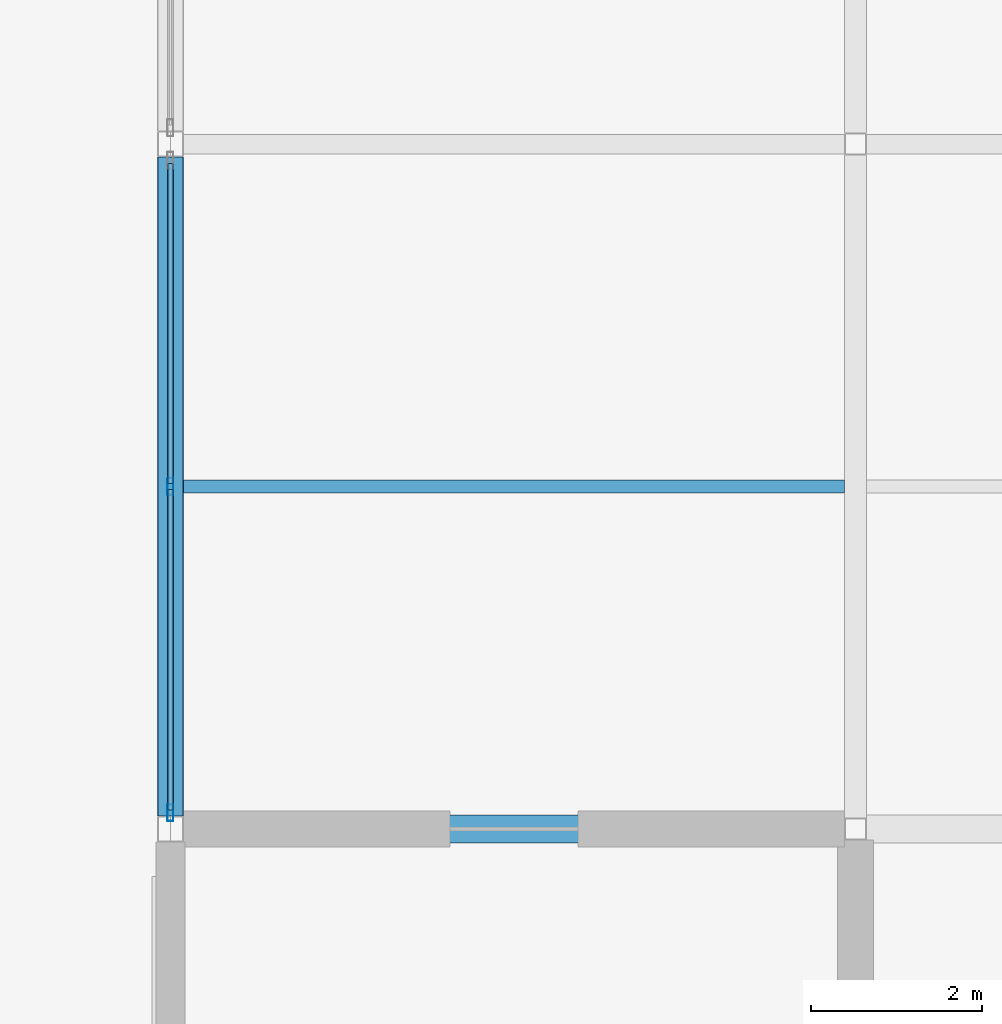
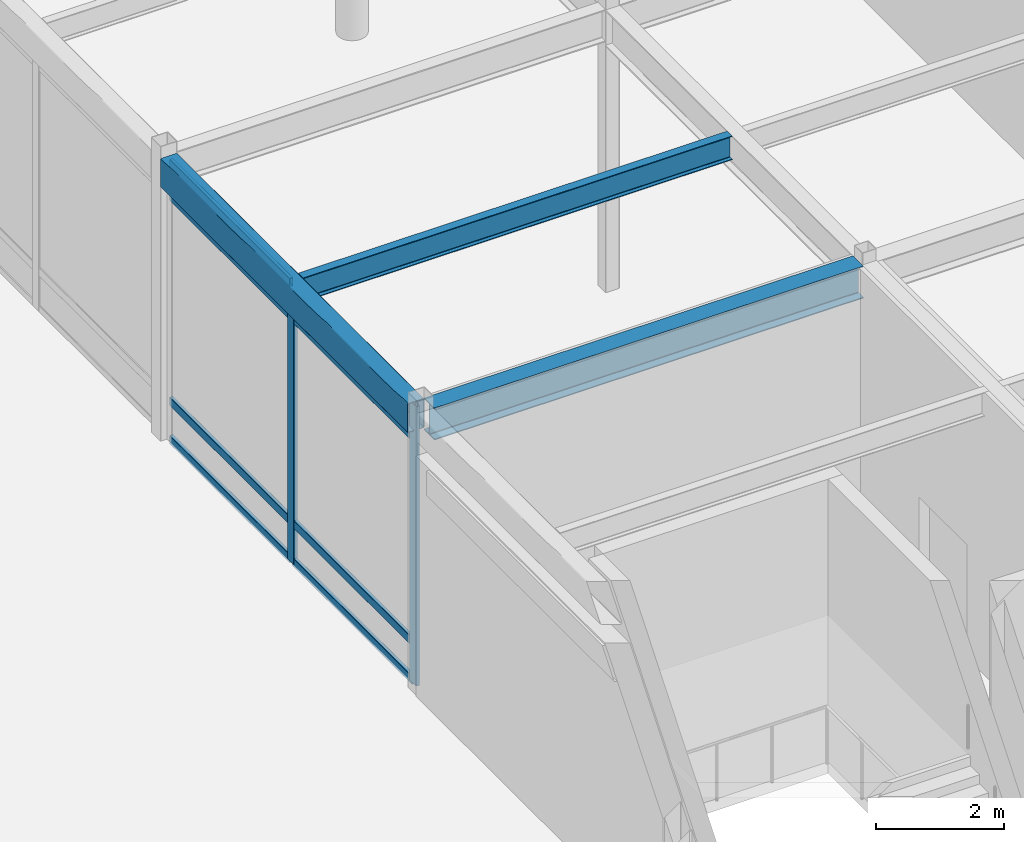
# One storey, part 35 of 128: 10 members, 3 beams, 1 element without a shape of its own.
"""IFC4 building model written with IfcOpenShell, lengths in metres."""

from ifc_helpers import new_model, si_unit, direction, frame, origin, origin_2d, place, context, subcontext, project, spatial, hollow_rectangle, i_section, extrude, material, material_profile, profile_set, type_object, element, aggregate, save


model = new_model("IFC4")

# Units and contexts
model_context = context("Model", 3, precision=1e-05, world=origin(), true_north=direction((0.0, 1.0)))
body_context = subcontext(model_context, "Body", "Model", "MODEL_VIEW")
ifc_project = project(units=[si_unit("LENGTHUNIT", "METRE"), si_unit("AREAUNIT", "SQUARE_METRE"), si_unit("VOLUMEUNIT", "CUBIC_METRE"), si_unit("PLANEANGLEUNIT", "RADIAN"), si_unit("MASSUNIT", "GRAM", prefix="KILO")], contexts=[model_context])

# Site, building, storey
site_placement = place(None, origin())
site = spatial("IfcSite", under=ifc_project, at=site_placement, CompositionType="ELEMENT")
building_placement = place(site_placement, origin())
building = spatial("IfcBuilding", under=site, at=building_placement, Name="Solmirada Galleria", CompositionType="ELEMENT")
storey_placement = place(building_placement, origin())
storey = spatial("IfcBuildingStorey", under=building, at=storey_placement, Name="L00", CompositionType="ELEMENT", Elevation=0.0)

# Beams
ifc_material_1 = material(Name="Steel S355 / ASTM A992 Grade 50", Category="steel")
ifc_material_profile_1 = material_profile(ifc_material_1, i_section(OverallWidth=0.323974609375, OverallDepth=0.611083984375, WebThickness=0.0126953125, FlangeThickness=0.01904296875, FilletRadius=0.014892578125, at=origin_2d()), Name="W24X104")
ifc_profile_set_1 = profile_set([ifc_material_profile_1], Name="Steel S355 / ASTM A992 Grade 50")
beam_type_1 = type_object("IfcBeamType", Name="BM-GIRD-W24A", PredefinedType="BEAM", material=ifc_profile_set_1)
beam_1_placement = place(storey_placement, frame((40.152587890625, 16.0, 5.074462890625), z_axis=(1.0, 0.0, 0.0), x_axis=(0.0, 1.0, 0.0)))
element("IfcBeam", 1, at=beam_1_placement, inside=storey, type_object=beam_type_1, Name="Primary beam L01 X(40..48, 16)", PredefinedType="BEAM", context=body_context, shape_type="SweptSolid", body=[
    extrude(i_section(OverallWidth=0.323974609375, OverallDepth=0.611083984375, WebThickness=0.0126953125, FlangeThickness=0.01904296875, FilletRadius=0.014892578125, at=origin_2d()), origin(), (0.0, 0.0, 1.0), 7.720458984375),
])
ifc_material_profile_2 = material_profile(ifc_material_1, i_section(OverallWidth=0.153076171875, OverallDepth=0.455078125, WebThickness=0.008056640625, FlangeThickness=0.01318359375, FilletRadius=0.011962890625, at=origin_2d()), Name="W18X40")
ifc_profile_set_2 = profile_set([ifc_material_profile_2], Name="Steel S355 / ASTM A992 Grade 50")
beam_type_2 = type_object("IfcBeamType", Name="BM-JST-W18A", PredefinedType="JOIST", material=ifc_profile_set_2)
beam_2_placement = place(storey_placement, frame((40.152587890625, 20.0, 5.152587890625), z_axis=(1.0, 0.0, 0.0), x_axis=(0.0, 1.0, 0.0)))
element("IfcBeam", 2, at=beam_2_placement, inside=storey, type_object=beam_type_2, Name="Composite floor joist L01 (40..48, 20.0)", PredefinedType="JOIST", context=body_context, shape_type="SweptSolid", body=[
    extrude(i_section(OverallWidth=0.153076171875, OverallDepth=0.455078125, WebThickness=0.008056640625, FlangeThickness=0.01318359375, FilletRadius=0.011962890625, at=origin_2d()), origin(), (0.0, 0.0, 1.0), 7.719482421875),
])
ifc_material_2 = material(Name="Steel S355 / ASTM A500 Grade C", Category="steel")
ifc_material_profile_3 = material_profile(ifc_material_2, hollow_rectangle(XDim=0.304931640625, YDim=0.55908203125, WallThickness=0.01171875, InnerFilletRadius=0.01171875, OuterFilletRadius=0.023681640625, at=origin_2d()), Name="HSS22X12X1/2")
ifc_profile_set_3 = profile_set([ifc_material_profile_3], Name="Steel S355 / ASTM A500 Grade C")
beam_type_3 = type_object("IfcBeamType", Name="BM-SPAND-W21", PredefinedType="SPANDREL", material=ifc_profile_set_3)
beam_3_placement = place(storey_placement, frame((40.0, 16.152587890625, 5.1005859375), z_axis=(0.0, 1.0, 0.0), x_axis=(-1.0, 0.0, 0.0)))
element("IfcBeam", 3, at=beam_3_placement, inside=storey, type_object=beam_type_3, Name="Primary girder L01 Y(40, 16..24)", PredefinedType="SPANDREL", context=body_context, shape_type="SweptSolid", body=[
    extrude(hollow_rectangle(XDim=0.304931640625, YDim=0.55908203125, WallThickness=0.01171875, InnerFilletRadius=0.01171875, OuterFilletRadius=0.023681640625, at=origin_2d()), origin(), (0.0, 0.0, 1.0), 7.69482421875),
])

# Curtain wall, members
ifc_material_3 = material(Name="Impact-resistant low-E double glazing", Category="glass")
curtain_wall_type = type_object("IfcCurtainWallType", Name="CW-FZ1-L00-B2-L077", PredefinedType="NOTDEFINED", material=ifc_material_3)
curtain_wall_placement = place(storey_placement, origin())
curtain_wall = element("IfcCurtainWall", 4, at=curtain_wall_placement, inside=storey, type_object=curtain_wall_type, Name="Terrace and arcade storefront CW-L00-028", PredefinedType="NOTDEFINED")
ifc_material_4 = material(Name="Anodised aluminium framing", Category="aluminium")
ifc_material_profile_4 = material_profile(ifc_material_4, hollow_rectangle(XDim=0.070068359375, YDim=0.199951171875, WallThickness=0.004150390625, InnerFilletRadius=0.004150390625, OuterFilletRadius=0.00830078125, at=origin_2d()), Name="ALU-MULL-200X70")
ifc_profile_set_4 = profile_set([ifc_material_profile_4], Name="Anodised aluminium framing")
member_type_1 = type_object("IfcMemberType", Name="CW-MULL-200", PredefinedType="MULLION", material=ifc_profile_set_4)
member_1_placement = place(storey_placement, frame((40.0, 16.189453125, 0.0), z_axis=(0.0, 0.0, 1.0), x_axis=(-1.0, 0.0, 0.0)))
member_1 = element("IfcMember", 5, at=member_1_placement, type_object=member_type_1, Name="CW11 mullion 1", PredefinedType="MULLION", context=body_context, shape_type="SweptSolid", body=[
    extrude(hollow_rectangle(XDim=0.070068359375, YDim=0.199951171875, WallThickness=0.004150390625, InnerFilletRadius=0.004150390625, OuterFilletRadius=0.00830078125, at=origin_2d()), origin(), (0.0, 0.0, 1.0), 5.320068359375),
])
member_2_placement = place(storey_placement, frame((40.0, 20.0, 0.0), z_axis=(0.0, 0.0, 1.0), x_axis=(-1.0, 0.0, 0.0)))
member_2 = element("IfcMember", 6, at=member_2_placement, type_object=member_type_1, Name="CW11 mullion 2", PredefinedType="MULLION", context=body_context, shape_type="SweptSolid", body=[
    extrude(hollow_rectangle(XDim=0.070068359375, YDim=0.199951171875, WallThickness=0.004150390625, InnerFilletRadius=0.004150390625, OuterFilletRadius=0.00830078125, at=origin_2d()), origin(), (0.0, 0.0, 1.0), 5.320068359375),
])
ifc_material_profile_5 = material_profile(ifc_material_4, hollow_rectangle(XDim=0.06494140625, YDim=0.159912109375, WallThickness=0.00390625, InnerFilletRadius=0.00390625, OuterFilletRadius=0.007568359375, at=origin_2d()), Name="ALU-TRAN-160X65")
ifc_profile_set_5 = profile_set([ifc_material_profile_5], Name="Anodised aluminium framing")
member_type_2 = type_object("IfcMemberType", Name="CW-TRAN-160", PredefinedType="USERDEFINED", material=ifc_profile_set_5)
member_3_placement = place(storey_placement, frame((40.0, 16.224609375, 0.032470703125), z_axis=(0.0, 1.0, 0.0), x_axis=(-1.0, 0.0, 0.0)))
member_3 = element("IfcMember", 7, at=member_3_placement, type_object=member_type_2, Name="CW11 transom 1.1", ObjectType="TRANSOM", PredefinedType="USERDEFINED", context=body_context, shape_type="SweptSolid", body=[
    extrude(hollow_rectangle(XDim=0.06494140625, YDim=0.159912109375, WallThickness=0.00390625, InnerFilletRadius=0.00390625, OuterFilletRadius=0.007568359375, at=origin_2d()), origin(), (0.0, 0.0, 1.0), 3.740478515625),
])
member_4_placement = place(storey_placement, frame((40.0, 16.224609375, 0.760009765625), z_axis=(0.0, 1.0, 0.0), x_axis=(-1.0, 0.0, 0.0)))
member_4 = element("IfcMember", 8, at=member_4_placement, type_object=member_type_2, Name="CW11 transom 1.2", ObjectType="TRANSOM", PredefinedType="USERDEFINED", context=body_context, shape_type="SweptSolid", body=[
    extrude(hollow_rectangle(XDim=0.06494140625, YDim=0.159912109375, WallThickness=0.00390625, InnerFilletRadius=0.00390625, OuterFilletRadius=0.007568359375, at=origin_2d()), origin(), (0.0, 0.0, 1.0), 3.740478515625),
])
member_5_placement = place(storey_placement, frame((40.0, 16.224609375, 4.659912109375), z_axis=(0.0, 1.0, 0.0), x_axis=(-1.0, 0.0, 0.0)))
member_5 = element("IfcMember", 9, at=member_5_placement, type_object=member_type_2, Name="CW11 transom 1.3", ObjectType="TRANSOM", PredefinedType="USERDEFINED", context=body_context, shape_type="SweptSolid", body=[
    extrude(hollow_rectangle(XDim=0.06494140625, YDim=0.159912109375, WallThickness=0.00390625, InnerFilletRadius=0.00390625, OuterFilletRadius=0.007568359375, at=origin_2d()), origin(), (0.0, 0.0, 1.0), 3.740478515625),
])
member_6_placement = place(storey_placement, frame((40.0, 16.224609375, 5.28759765625), z_axis=(0.0, 1.0, 0.0), x_axis=(-1.0, 0.0, 0.0)))
member_6 = element("IfcMember", 10, at=member_6_placement, type_object=member_type_2, Name="CW11 transom 1.4", ObjectType="TRANSOM", PredefinedType="USERDEFINED", context=body_context, shape_type="SweptSolid", body=[
    extrude(hollow_rectangle(XDim=0.06494140625, YDim=0.159912109375, WallThickness=0.00390625, InnerFilletRadius=0.00390625, OuterFilletRadius=0.007568359375, at=origin_2d()), origin(), (0.0, 0.0, 1.0), 3.740478515625),
])
member_7_placement = place(storey_placement, frame((40.0, 20.034912109375, 0.032470703125), z_axis=(0.0, 1.0, 0.0), x_axis=(-1.0, 0.0, 0.0)))
member_7 = element("IfcMember", 11, at=member_7_placement, type_object=member_type_2, Name="CW11 transom 2.1", ObjectType="TRANSOM", PredefinedType="USERDEFINED", context=body_context, shape_type="SweptSolid", body=[
    extrude(hollow_rectangle(XDim=0.06494140625, YDim=0.159912109375, WallThickness=0.00390625, InnerFilletRadius=0.00390625, OuterFilletRadius=0.007568359375, at=origin_2d()), origin(), (0.0, 0.0, 1.0), 3.740478515625),
])
member_8_placement = place(storey_placement, frame((40.0, 20.034912109375, 0.760009765625), z_axis=(0.0, 1.0, 0.0), x_axis=(-1.0, 0.0, 0.0)))
member_8 = element("IfcMember", 12, at=member_8_placement, type_object=member_type_2, Name="CW11 transom 2.2", ObjectType="TRANSOM", PredefinedType="USERDEFINED", context=body_context, shape_type="SweptSolid", body=[
    extrude(hollow_rectangle(XDim=0.06494140625, YDim=0.159912109375, WallThickness=0.00390625, InnerFilletRadius=0.00390625, OuterFilletRadius=0.007568359375, at=origin_2d()), origin(), (0.0, 0.0, 1.0), 3.740478515625),
])
member_9_placement = place(storey_placement, frame((40.0, 20.034912109375, 4.659912109375), z_axis=(0.0, 1.0, 0.0), x_axis=(-1.0, 0.0, 0.0)))
member_9 = element("IfcMember", 13, at=member_9_placement, type_object=member_type_2, Name="CW11 transom 2.3", ObjectType="TRANSOM", PredefinedType="USERDEFINED", context=body_context, shape_type="SweptSolid", body=[
    extrude(hollow_rectangle(XDim=0.06494140625, YDim=0.159912109375, WallThickness=0.00390625, InnerFilletRadius=0.00390625, OuterFilletRadius=0.007568359375, at=origin_2d()), origin(), (0.0, 0.0, 1.0), 3.740478515625),
])
member_10_placement = place(storey_placement, frame((40.0, 20.034912109375, 5.28759765625), z_axis=(0.0, 1.0, 0.0), x_axis=(-1.0, 0.0, 0.0)))
member_10 = element("IfcMember", 14, at=member_10_placement, type_object=member_type_2, Name="CW11 transom 2.4", ObjectType="TRANSOM", PredefinedType="USERDEFINED", context=body_context, shape_type="SweptSolid", body=[
    extrude(hollow_rectangle(XDim=0.06494140625, YDim=0.159912109375, WallThickness=0.00390625, InnerFilletRadius=0.00390625, OuterFilletRadius=0.007568359375, at=origin_2d()), origin(), (0.0, 0.0, 1.0), 3.740478515625),
])
aggregate(curtain_wall, [member_1, member_2, member_3, member_4, member_5, member_6, member_7, member_8, member_9, member_10])

save(model, "model.ifc")
